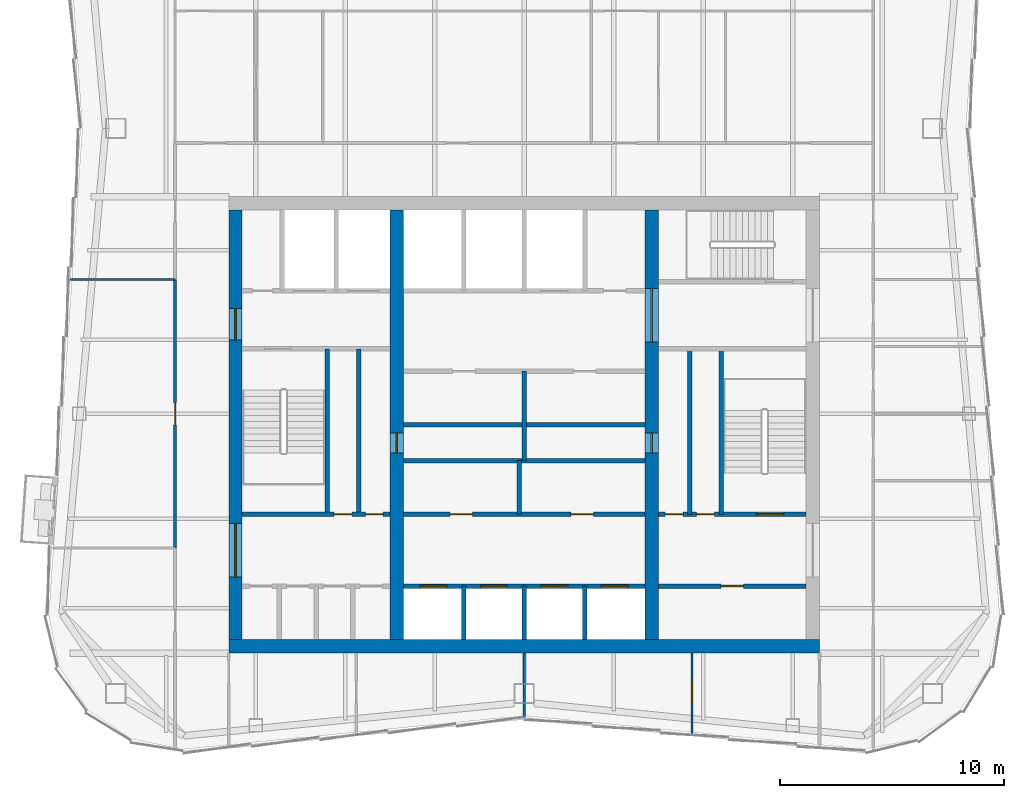
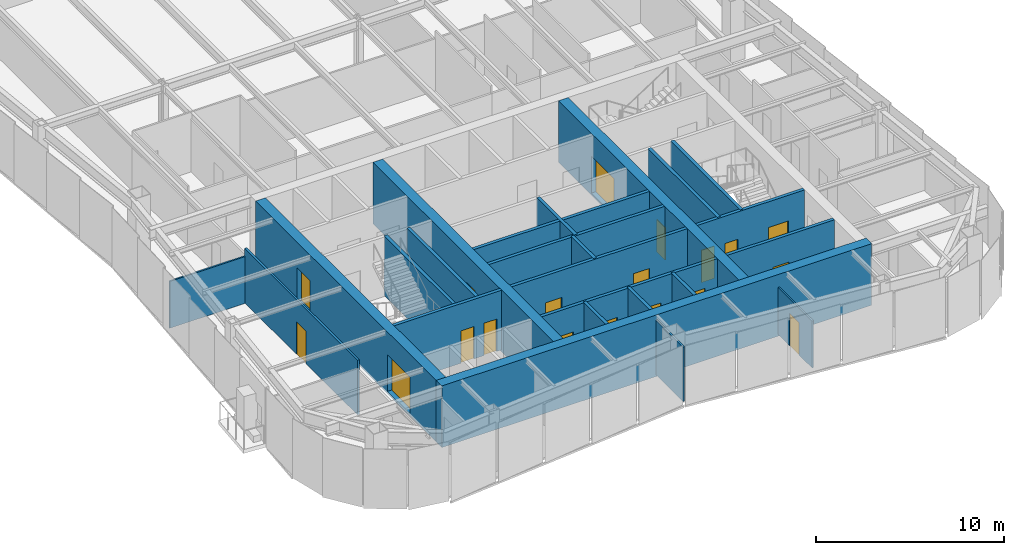
# One storey, part 6 of 10: 24 walls, 19 doors, 19 openings.
"""IFC4 building model written with IfcOpenShell, lengths in metres."""

import ifcopenshell
import ifcopenshell.guid

model = None  # the IFC model being written
_history = None  # IfcOwnerHistory: only IFC2X3 demands one
_inside = {}  # id of a spatial element -> (the spatial element, [elements in it])
_under = {}  # id of a project, library or spatial element -> (it, [spatial elements below it])
_declared = {}  # id of a project -> (the project, [libraries it declares])
_typed = {}  # id of a type object -> (the type object, [elements of that type])
_made_of = {}  # id of a material, layer set ... -> (it, [elements and type objects made of it])


def new_model(schema):
    """Start an empty IFC model of exactly this schema.

    Asked for "IFC4X3", IfcOpenShell would pick the latest addendum, in which some entities
    have other attributes; the version numbers below select the first issue.
    IFC2X3 requires an IfcOwnerHistory on every rooted entity: one is made here for all.
    """
    global model, _history
    if schema == "IFC4X3":
        model = ifcopenshell.file(schema_version=(4, 3, 0, 0))
    else:
        model = ifcopenshell.file(schema=schema)
    _inside.clear()
    _under.clear()
    _declared.clear()
    _typed.clear()
    _made_of.clear()
    _history = None
    if model.schema == "IFC2X3":
        org = make("IfcOrganization", Name="unknown")
        user = make(
            "IfcPersonAndOrganization",
            ThePerson=make("IfcPerson", FamilyName="unknown"),
            TheOrganization=org,
        )
        app = make(
            "IfcApplication",
            ApplicationDeveloper=org,
            Version="unknown",
            ApplicationFullName="unknown",
            ApplicationIdentifier="unknown",
        )
        _history = make(
            "IfcOwnerHistory",
            OwningUser=user,
            OwningApplication=app,
            ChangeAction="ADDED",
            CreationDate=0,
        )
    return model


def make(cls, **values):
    """One entity of the class cls with the attributes given. An attribute that is None is left unset."""
    return model.create_entity(
        cls, **{name: value for name, value in values.items() if value is not None}
    )


def rooted(cls, **values):
    """An entity with a GlobalId (a new one), such as an element, a storey or a relation."""
    return make(cls, GlobalId=ifcopenshell.guid.new(), OwnerHistory=_history, **values)


def si_unit(unit_type, name, prefix=None):
    """IfcSIUnit, for example si_unit("LENGTHUNIT", "METRE", prefix="MILLI")."""
    return make("IfcSIUnit", UnitType=unit_type, Prefix=prefix, Name=name)


def assignment(units):
    """IfcUnitAssignment: the units of a project."""
    return None if units is None else make("IfcUnitAssignment", Units=units)


def point(xyz):
    """IfcCartesianPoint."""
    return None if xyz is None else make("IfcCartesianPoint", Coordinates=xyz)


def direction(xyz):
    """IfcDirection."""
    return None if xyz is None else make("IfcDirection", DirectionRatios=xyz)


def frame(location, z_axis=None, x_axis=None):
    """IfcAxis2Placement3D, a coordinate frame: its origin and axes. An axis left out is left unset."""
    return make(
        "IfcAxis2Placement3D",
        Location=point(location),
        Axis=direction(z_axis),
        RefDirection=direction(x_axis),
    )


def frame_2d(location, x_axis=None):
    """IfcAxis2Placement2D, a coordinate frame in the plane: its origin and x axis."""
    return make(
        "IfcAxis2Placement2D", Location=point(location), RefDirection=direction(x_axis)
    )


def origin():
    """The frame at (0, 0, 0) with its axes left unset."""
    return frame((0.0, 0.0, 0.0))


def place(relative_to, where):
    """IfcLocalPlacement: puts the frame where relative to a parent placement (None: the world)."""
    return make(
        "IfcLocalPlacement", PlacementRelTo=relative_to, RelativePlacement=where
    )


def context(
    kind, dimensions, precision=None, world=None, true_north=None, identifier=None
):
    """IfcGeometricRepresentationContext, for example the 3D "Model" context."""
    return make(
        "IfcGeometricRepresentationContext",
        ContextIdentifier=identifier,
        ContextType=kind,
        CoordinateSpaceDimension=dimensions,
        Precision=precision,
        WorldCoordinateSystem=world,
        TrueNorth=true_north,
    )


def subcontext(parent, identifier, kind, view, scale=None):
    """IfcGeometricRepresentationSubContext, for example "Body" below "Model"."""
    return make(
        "IfcGeometricRepresentationSubContext",
        ContextIdentifier=identifier,
        ContextType=kind,
        ParentContext=parent,
        TargetScale=scale,
        TargetView=view,
    )


def project(units=None, contexts=None):
    """IfcProject with its units and contexts."""
    return rooted(
        "IfcProject",
        Name="project",
        RepresentationContexts=contexts,
        UnitsInContext=assignment(units),
    )


def spatial(cls, under=None, at=None, **own):
    """A site, building, storey or space (cls), placed at a placement, below another one or the project."""
    s = rooted(cls, ObjectPlacement=at, **own)
    if under is not None:
        _under.setdefault(under.id(), (under, []))[1].append(s)
    return s


def profile(cls, at=None, kind="AREA", **sizes):
    """A parametric profile (cls). Its sizes go by their IFC names, for example OverallWidth=200.0."""
    return make(cls, ProfileType=kind, Position=at, **sizes)


def rectangle(**sizes):
    """IfcRectangleProfileDef."""
    return profile("IfcRectangleProfileDef", **sizes)


def extrude(swept, where, along, depth):
    """IfcExtrudedAreaSolid: the profile swept, set in the frame where, extruded along a direction by depth."""
    return make(
        "IfcExtrudedAreaSolid",
        SweptArea=swept,
        Position=where,
        ExtrudedDirection=direction(along),
        Depth=depth,
    )


def shape(context_of_items, identifier, shape_type, items):
    """IfcShapeRepresentation: the items that make up one representation, for example the "Body"."""
    return make(
        "IfcShapeRepresentation",
        ContextOfItems=context_of_items,
        RepresentationIdentifier=identifier,
        RepresentationType=shape_type,
        Items=items,
    )


def material(Name=None, Category=None):
    """IfcMaterial."""
    return make("IfcMaterial", Name=Name, Category=Category)


def layer(
    of_material, thickness, ventilated=None, Name=None, Category=None, Priority=None
):
    """IfcMaterialLayer: one layer of a wall or slab, of a material (None: an air gap)."""
    return make(
        "IfcMaterialLayer",
        Material=of_material,
        LayerThickness=thickness,
        IsVentilated=ventilated,
        Name=Name,
        Category=Category,
        Priority=Priority,
    )


def layer_set(layers, Name=None):
    """IfcMaterialLayerSet."""
    return make("IfcMaterialLayerSet", MaterialLayers=layers, LayerSetName=Name)


def made_of(thing, what):
    """Note that an element or type object is made of a material, layer set ...; save() writes the relation."""
    if what is not None:
        _made_of.setdefault(what.id(), (what, []))[1].append(thing)
    return thing


def type_object(cls, material=None, **own):
    """A type object (cls), such as IfcWallType, which elements share."""
    return made_of(rooted(cls, **own), material)


def element(
    cls,
    number,
    at=None,
    inside=None,
    cuts=None,
    type_object=None,
    material=None,
    context=None,
    identifier="Body",
    shape_type=None,
    held_by="IfcProductDefinitionShape",
    body=None,
    shapes=None,
    **own,
):
    """One element of the class cls, such as IfcWall. Its Tag is "e" and its number.

    at: its placement. inside: the storey or other place that contains it. cuts: it is an
    opening in that element (IfcRelVoidsElement). A single representation is given by context,
    identifier, shape_type and body (its items); several are given by shapes. held_by: the class
    of the entity that holds the representations. save() writes the other relations.
    """
    e = rooted(cls, Tag="e%d" % number, ObjectPlacement=at, **own)
    if body is not None:
        shapes = [shape(context, identifier, shape_type, body)]
    if shapes is not None:
        e.Representation = make(held_by, Representations=shapes)
    if inside is not None:
        _inside.setdefault(inside.id(), (inside, []))[1].append(e)
    if cuts is not None:
        rooted(
            "IfcRelVoidsElement", RelatingBuildingElement=cuts, RelatedOpeningElement=e
        )
    if type_object is not None:
        _typed.setdefault(type_object.id(), (type_object, []))[1].append(e)
    return made_of(e, material)


def fill(opening, filler):
    """IfcRelFillsElement: the door or window that sits in an opening."""
    return rooted(
        "IfcRelFillsElement",
        RelatingOpeningElement=opening,
        RelatedBuildingElement=filler,
    )


def aggregate(whole, parts):
    """IfcRelAggregates: a whole, such as a stair, and the parts it consists of."""
    return rooted("IfcRelAggregates", RelatingObject=whole, RelatedObjects=parts)


def save(model, path):
    """Write the relations noted so far, then the file.

    IfcRelAggregates (storeys below a building ...), IfcRelContainedInSpatialStructure (elements
    in a storey), IfcRelDefinesByType, IfcRelAssociatesMaterial and IfcRelDeclares: one each for
    every whole, place, type object, material and project.
    """
    for whole, parts in _under.values():
        aggregate(whole, parts)
    for where, things in _inside.values():
        rooted(
            "IfcRelContainedInSpatialStructure",
            RelatedElements=things,
            RelatingStructure=where,
        )
    for kind, things in _typed.values():
        rooted("IfcRelDefinesByType", RelatedObjects=things, RelatingType=kind)
    for what, things in _made_of.values():
        rooted("IfcRelAssociatesMaterial", RelatedObjects=things, RelatingMaterial=what)
    for by, libraries in _declared.values():
        rooted("IfcRelDeclares", RelatingContext=by, RelatedDefinitions=libraries)
    model.write(path)


model = new_model("IFC4")

# Units and contexts
model_context = context("Model", 3, precision=1e-05, world=origin(), true_north=direction((0.0, 1.0)))
body_context = subcontext(model_context, "Body", "Model", "MODEL_VIEW")
ifc_project = project(units=[si_unit("LENGTHUNIT", "METRE"), si_unit("AREAUNIT", "SQUARE_METRE"), si_unit("VOLUMEUNIT", "CUBIC_METRE"), si_unit("PLANEANGLEUNIT", "RADIAN"), si_unit("MASSUNIT", "GRAM", prefix="KILO")], contexts=[model_context])

# Site, building, storey
site_placement = place(None, origin())
site = spatial("IfcSite", under=ifc_project, at=site_placement, CompositionType="ELEMENT")
building_placement = place(site_placement, origin())
building = spatial("IfcBuilding", under=site, at=building_placement, Name="Verdant Reach Tower", CompositionType="ELEMENT")
storey_placement = place(building_placement, frame((0.0, 0.0, 302.0)))
storey = spatial("IfcBuildingStorey", under=building, at=storey_placement, Name="L69", CompositionType="ELEMENT", Elevation=302.0)

# Wall, opening, door
ifc_material_1 = material(Name="Gypsum board on steel studs", Category="steel")
ifc_layer_1 = layer(ifc_material_1, 0.199951171875)
ifc_layer_set_1 = layer_set([ifc_layer_1], Name="CO-WALL-ROOM")
wall_type_1 = type_object("IfcWallType", Name="CO-WALL-ROOM", PredefinedType="PARTITIONING", material=ifc_layer_set_1)
wall_1_placement = place(storey_placement, frame((6.0, 20.800048828125, 0.0), z_axis=(0.0, 0.0, 1.0), x_axis=(1.0, 0.0, 0.0)))
wall_1 = element("IfcWall", 1, at=wall_1_placement, inside=storey, type_object=wall_type_1, Name="Core partition, L69", PredefinedType="PARTITIONING", context=body_context, shape_type="SweptSolid", body=[
    extrude(rectangle(XDim=6.60009765625, YDim=0.199951171875, at=frame_2d((3.300048828125, 0.0))), origin(), (0.0, 0.0, 1.0), 3.8701171875),
])
opening_1_placement = place(wall_1_placement, frame((2.800048828125, 0.0, 0.0)))
opening_1 = element("IfcOpeningElement", 2, at=opening_1_placement, cuts=wall_1, Name="Opening CD", PredefinedType="OPENING", context=body_context, shape_type="SweptSolid", body=[
    extrude(rectangle(XDim=1.0, YDim=2.10009765625, at=frame_2d((0.5, 1.050048828125))), frame((0.0, 0.10986328125, 0.0), z_axis=(0.0, -1.0, 0.0), x_axis=(1.0, 0.0, 0.0)), (0.0, 0.0, 1.0), 0.219970703125),
])
ifc_material_2 = material(Name="Timber", Category="wood")
door_type_1 = type_object("IfcDoorType", Name="CO-DOOR-ROOM", OperationType="NOTDEFINED", PredefinedType="DOOR", material=ifc_material_2)
door_1_placement = place(opening_1_placement, origin())
door_1 = element("IfcDoor", 3, at=door_1_placement, inside=storey, type_object=door_type_1, Name="Core room door, L69", OperationType="SINGLE_SWING_LEFT", OverallHeight=2.10009765625, OverallWidth=1.0, PredefinedType="DOOR", context=body_context, shape_type="SweptSolid", body=[
    extrude(rectangle(XDim=1.0, YDim=2.10009765625, at=frame_2d((0.5, 1.050048828125))), frame((0.0, 0.02490234375, 0.0), z_axis=(0.0, -1.0, 0.0), x_axis=(1.0, 0.0, 0.0)), (0.0, 0.0, 1.0), 0.050048828125),
])
fill(opening_1, door_1)

# Wall, openings, doors
wall_2_placement = place(storey_placement, frame((-5.39990234375, 24.0, 0.0), z_axis=(0.0, 0.0, 1.0), x_axis=(1.0, 0.0, 0.0)))
wall_2 = element("IfcWall", 4, at=wall_2_placement, inside=storey, type_object=wall_type_1, Name="Core partition, L69", PredefinedType="PARTITIONING", context=body_context, shape_type="SweptSolid", body=[
    extrude(rectangle(XDim=10.7998046875, YDim=0.199951171875, at=frame_2d((5.39990234375, 0.0))), origin(), (0.0, 0.0, 1.0), 3.8701171875),
])
opening_2_placement = place(wall_2_placement, frame((2.092041015625, 0.0, 0.0)))
opening_2 = element("IfcOpeningElement", 5, at=opening_2_placement, cuts=wall_2, Name="Opening CD", PredefinedType="OPENING", context=body_context, shape_type="SweptSolid", body=[
    extrude(rectangle(XDim=1.0, YDim=2.10009765625, at=frame_2d((0.5, 1.050048828125))), frame((0.0, 0.10986328125, 0.0), z_axis=(0.0, -1.0, 0.0), x_axis=(1.0, 0.0, 0.0)), (0.0, 0.0, 1.0), 0.219970703125),
])
opening_3_placement = place(wall_2_placement, frame((7.491943359375, 0.0, 0.0)))
opening_3 = element("IfcOpeningElement", 6, at=opening_3_placement, cuts=wall_2, Name="Opening CD", PredefinedType="OPENING", context=body_context, shape_type="SweptSolid", body=[
    extrude(rectangle(XDim=1.0, YDim=2.10009765625, at=frame_2d((0.5, 1.050048828125))), frame((0.0, 0.10986328125, 0.0), z_axis=(0.0, -1.0, 0.0), x_axis=(1.0, 0.0, 0.0)), (0.0, 0.0, 1.0), 0.219970703125),
])
door_2_placement = place(opening_2_placement, origin())
door_2 = element("IfcDoor", 7, at=door_2_placement, inside=storey, type_object=door_type_1, Name="Core room door, L69", OperationType="SINGLE_SWING_RIGHT", OverallHeight=2.10009765625, OverallWidth=1.0, PredefinedType="DOOR", context=body_context, shape_type="SweptSolid", body=[
    extrude(rectangle(XDim=1.0, YDim=2.10009765625, at=frame_2d((0.5, 1.050048828125))), frame((0.0, 0.02490234375, 0.0), z_axis=(0.0, -1.0, 0.0), x_axis=(1.0, 0.0, 0.0)), (0.0, 0.0, 1.0), 0.050048828125),
])
fill(opening_2, door_2)
door_3_placement = place(opening_3_placement, origin())
door_3 = element("IfcDoor", 8, at=door_3_placement, inside=storey, type_object=door_type_1, Name="Core room door, L69", OperationType="SINGLE_SWING_LEFT", OverallHeight=2.10009765625, OverallWidth=1.0, PredefinedType="DOOR", context=body_context, shape_type="SweptSolid", body=[
    extrude(rectangle(XDim=1.0, YDim=2.10009765625, at=frame_2d((0.5, 1.050048828125))), frame((0.0, 0.02490234375, 0.0), z_axis=(0.0, -1.0, 0.0), x_axis=(1.0, 0.0, 0.0)), (0.0, 0.0, 1.0), 0.050048828125),
])
fill(opening_3, door_3)

# Walls
for number, where, z_axis, x_axis, name in (
    (9, (-5.39990234375, 26.39990234375, 0.0), (0.0, 0.0, 1.0), (1.0, 0.0, 0.0), "Core partition, L69"),
    (10, (-5.39990234375, 28.0, 0.0), (0.0, 0.0, 1.0), (1.0, 0.0, 0.0), "Core partition, L69"),
):
    element("IfcWall", number, at=place(storey_placement, frame(where, z_axis=z_axis, x_axis=x_axis)), inside=storey, type_object=wall_type_1, Name=name, PredefinedType="PARTITIONING", context=body_context, shape_type="SweptSolid", body=[
        extrude(rectangle(XDim=10.7998046875, YDim=0.199951171875, at=frame_2d((5.39990234375, 0.0))), origin(), (0.0, 0.0, 1.0), 3.8701171875),
    ])
wall_3_placement = place(storey_placement, frame((-7.39990234375, 24.0, 0.0), z_axis=(0.0, 0.0, 1.0), x_axis=(0.0, 1.0, 0.0)))
element("IfcWall", 11, at=wall_3_placement, inside=storey, type_object=wall_type_1, Name="Core partition, L69", PredefinedType="PARTITIONING", context=body_context, shape_type="SweptSolid", body=[
    extrude(rectangle(XDim=7.39990234375, YDim=0.199951171875, at=frame_2d((3.699951171875, 0.0))), origin(), (0.0, 0.0, 1.0), 3.8701171875),
])
wall_4_placement = place(storey_placement, frame((-0.216064453125, 24.0, 0.0), z_axis=(0.0, 0.0, 1.0), x_axis=(0.0, 1.0, 0.0)))
element("IfcWall", 12, at=wall_4_placement, inside=storey, type_object=wall_type_1, Name="Core partition, L69", PredefinedType="PARTITIONING", context=body_context, shape_type="SweptSolid", body=[
    extrude(rectangle(XDim=2.39990234375, YDim=0.199951171875, at=frame_2d((1.199951171875, 0.0))), origin(), (0.0, 0.0, 1.0), 3.8701171875),
])
wall_5_placement = place(storey_placement, frame((0.0, 26.39990234375, 0.0), z_axis=(0.0, 0.0, 1.0), x_axis=(0.0, 1.0, 0.0)))
element("IfcWall", 13, at=wall_5_placement, inside=storey, type_object=wall_type_1, Name="Core partition, L69", PredefinedType="PARTITIONING", context=body_context, shape_type="SweptSolid", body=[
    extrude(rectangle(XDim=4.0, YDim=0.199951171875, at=frame_2d((2.0, 0.0))), origin(), (0.0, 0.0, 1.0), 3.8701171875),
])
wall_6_placement = place(storey_placement, frame((7.39990234375, 24.0, 0.0), z_axis=(0.0, 0.0, 1.0), x_axis=(0.0, 1.0, 0.0)))
element("IfcWall", 14, at=wall_6_placement, inside=storey, type_object=wall_type_1, Name="Core partition, L69", PredefinedType="PARTITIONING", context=body_context, shape_type="SweptSolid", body=[
    extrude(rectangle(XDim=7.39990234375, YDim=0.199951171875, at=frame_2d((3.699951171875, 0.0))), origin(), (0.0, 0.0, 1.0), 3.8701171875),
])

# Wall, openings, doors
ifc_material_3 = material(Name="Concrete C40/50", Category="concrete")
ifc_layer_2 = layer(ifc_material_3, 0.199951171875)
ifc_layer_set_2 = layer_set([ifc_layer_2], Name="CO-WALL-SHAFT")
wall_type_2 = type_object("IfcWallType", Name="CO-WALL-SHAFT", PredefinedType="PARTITIONING", material=ifc_layer_set_2)
wall_7_placement = place(storey_placement, frame((-5.39990234375, 20.800048828125, 0.0), z_axis=(0.0, 0.0, 1.0), x_axis=(1.0, 0.0, 0.0)))
wall_7 = element("IfcWall", 15, at=wall_7_placement, inside=storey, type_object=wall_type_2, Name="Lift shaft wall, L69", PredefinedType="PARTITIONING", context=body_context, shape_type="SweptSolid", body=[
    extrude(rectangle(XDim=10.7998046875, YDim=0.199951171875, at=frame_2d((5.39990234375, 0.0))), origin(), (0.0, 0.0, 1.0), 3.8701171875),
])
opening_4_placement = place(wall_7_placement, frame((0.75, 0.0, 0.0)))
opening_4 = element("IfcOpeningElement", 16, at=opening_4_placement, cuts=wall_7, Name="Opening LD-B1", PredefinedType="OPENING", context=body_context, shape_type="SweptSolid", body=[
    extrude(rectangle(XDim=1.199951171875, YDim=2.199951171875, at=frame_2d((0.60009765625, 1.10009765625))), frame((0.0, 0.10986328125, 0.0), z_axis=(0.0, -1.0, 0.0), x_axis=(1.0, 0.0, 0.0)), (0.0, 0.0, 1.0), 0.219970703125),
])
opening_5_placement = place(wall_7_placement, frame((3.449951171875, 0.0, 0.0)))
opening_5 = element("IfcOpeningElement", 17, at=opening_5_placement, cuts=wall_7, Name="Opening LD-B2", PredefinedType="OPENING", context=body_context, shape_type="SweptSolid", body=[
    extrude(rectangle(XDim=1.199951171875, YDim=2.199951171875, at=frame_2d((0.60009765625, 1.10009765625))), frame((0.0, 0.10986328125, 0.0), z_axis=(0.0, -1.0, 0.0), x_axis=(1.0, 0.0, 0.0)), (0.0, 0.0, 1.0), 0.219970703125),
])
opening_6_placement = place(wall_7_placement, frame((6.14990234375, 0.0, 0.0)))
opening_6 = element("IfcOpeningElement", 18, at=opening_6_placement, cuts=wall_7, Name="Opening LD-B3", PredefinedType="OPENING", context=body_context, shape_type="SweptSolid", body=[
    extrude(rectangle(XDim=1.199951171875, YDim=2.199951171875, at=frame_2d((0.60009765625, 1.10009765625))), frame((0.0, 0.10986328125, 0.0), z_axis=(0.0, -1.0, 0.0), x_axis=(1.0, 0.0, 0.0)), (0.0, 0.0, 1.0), 0.219970703125),
])
opening_7_placement = place(wall_7_placement, frame((8.85009765625, 0.0, 0.0)))
opening_7 = element("IfcOpeningElement", 19, at=opening_7_placement, cuts=wall_7, Name="Opening LD-B4", PredefinedType="OPENING", context=body_context, shape_type="SweptSolid", body=[
    extrude(rectangle(XDim=1.199951171875, YDim=2.199951171875, at=frame_2d((0.60009765625, 1.10009765625))), frame((0.0, 0.10986328125, 0.0), z_axis=(0.0, -1.0, 0.0), x_axis=(1.0, 0.0, 0.0)), (0.0, 0.0, 1.0), 0.219970703125),
])
ifc_material_4 = material(Name="Stainless steel", Category="steel")
door_type_2 = type_object("IfcDoorType", Name="CO-DOOR-LANDING", OperationType="SLIDING_TO_LEFT", PredefinedType="DOOR", material=ifc_material_4)
door_4_placement = place(opening_4_placement, origin())
door_4 = element("IfcDoor", 20, at=door_4_placement, inside=storey, type_object=door_type_2, Name="Landing door B1, L69", OperationType="SLIDING_TO_LEFT", OverallHeight=2.199951171875, OverallWidth=1.199951171875, PredefinedType="DOOR", context=body_context, shape_type="SweptSolid", body=[
    extrude(rectangle(XDim=1.199951171875, YDim=2.199951171875, at=frame_2d((0.60009765625, 1.10009765625))), frame((0.0, 0.02490234375, 0.0), z_axis=(0.0, -1.0, 0.0), x_axis=(1.0, 0.0, 0.0)), (0.0, 0.0, 1.0), 0.050048828125),
])
fill(opening_4, door_4)
door_5_placement = place(opening_5_placement, origin())
door_5 = element("IfcDoor", 21, at=door_5_placement, inside=storey, type_object=door_type_2, Name="Landing door B2, L69", OperationType="SLIDING_TO_LEFT", OverallHeight=2.199951171875, OverallWidth=1.199951171875, PredefinedType="DOOR", context=body_context, shape_type="SweptSolid", body=[
    extrude(rectangle(XDim=1.199951171875, YDim=2.199951171875, at=frame_2d((0.60009765625, 1.10009765625))), frame((0.0, 0.02490234375, 0.0), z_axis=(0.0, -1.0, 0.0), x_axis=(1.0, 0.0, 0.0)), (0.0, 0.0, 1.0), 0.050048828125),
])
fill(opening_5, door_5)
door_6_placement = place(opening_6_placement, origin())
door_6 = element("IfcDoor", 22, at=door_6_placement, inside=storey, type_object=door_type_2, Name="Landing door B3, L69", OperationType="SLIDING_TO_LEFT", OverallHeight=2.199951171875, OverallWidth=1.199951171875, PredefinedType="DOOR", context=body_context, shape_type="SweptSolid", body=[
    extrude(rectangle(XDim=1.199951171875, YDim=2.199951171875, at=frame_2d((0.60009765625, 1.10009765625))), frame((0.0, 0.02490234375, 0.0), z_axis=(0.0, -1.0, 0.0), x_axis=(1.0, 0.0, 0.0)), (0.0, 0.0, 1.0), 0.050048828125),
])
fill(opening_6, door_6)
door_7_placement = place(opening_7_placement, origin())
door_7 = element("IfcDoor", 23, at=door_7_placement, inside=storey, type_object=door_type_2, Name="Landing door B4, L69", OperationType="SLIDING_TO_LEFT", OverallHeight=2.199951171875, OverallWidth=1.199951171875, PredefinedType="DOOR", context=body_context, shape_type="SweptSolid", body=[
    extrude(rectangle(XDim=1.199951171875, YDim=2.199951171875, at=frame_2d((0.60009765625, 1.10009765625))), frame((0.0, 0.02490234375, 0.0), z_axis=(0.0, -1.0, 0.0), x_axis=(1.0, 0.0, 0.0)), (0.0, 0.0, 1.0), 0.050048828125),
])
fill(opening_7, door_7)

# Walls
for number, where, z_axis, x_axis, name in (
    (24, (-2.699951171875, 18.39990234375, 0.0), (0.0, 0.0, 1.0), (0.0, 1.0, 0.0), "Lift shaft wall, L69"),
    (25, (0.0, 18.39990234375, 0.0), (0.0, 0.0, 1.0), (0.0, 1.0, 0.0), "Lift shaft wall, L69"),
    (26, (2.699951171875, 18.39990234375, 0.0), (0.0, 0.0, 1.0), (0.0, 1.0, 0.0), "Lift shaft wall, L69"),
):
    element("IfcWall", number, at=place(storey_placement, frame(where, z_axis=z_axis, x_axis=x_axis)), inside=storey, type_object=wall_type_2, Name=name, PredefinedType="PARTITIONING", context=body_context, shape_type="SweptSolid", body=[
        extrude(rectangle(XDim=2.400146484375, YDim=0.199951171875, at=frame_2d((1.2001953125, 0.0))), origin(), (0.0, 0.0, 1.0), 3.8701171875),
    ])

# Wall, openings, doors
ifc_layer_3 = layer(ifc_material_3, 0.199951171875)
ifc_layer_set_3 = layer_set([ifc_layer_3], Name="CO-WALL-STAIR")
wall_type_3 = type_object("IfcWallType", Name="CO-WALL-STAIR", PredefinedType="PARTITIONING", material=ifc_layer_set_3)
wall_8_placement = place(storey_placement, frame((-12.60009765625, 24.0, 0.0), z_axis=(0.0, 0.0, 1.0), x_axis=(1.0, 0.0, 0.0)))
wall_8 = element("IfcWall", 27, at=wall_8_placement, inside=storey, type_object=wall_type_3, Name="Stair enclosure wall, L69", PredefinedType="PARTITIONING", context=body_context, shape_type="SweptSolid", body=[
    extrude(rectangle(XDim=6.60009765625, YDim=0.199951171875, at=frame_2d((3.300048828125, 0.0))), origin(), (0.0, 0.0, 1.0), 3.8701171875),
])
opening_8_placement = place(wall_8_placement, frame((4.10009765625, 0.0, 0.0)))
opening_8 = element("IfcOpeningElement", 28, at=opening_8_placement, cuts=wall_8, Name="Opening CDN", PredefinedType="OPENING", context=body_context, shape_type="SweptSolid", body=[
    extrude(rectangle(XDim=0.800048828125, YDim=2.10009765625, at=frame_2d((0.39990234375, 1.050048828125))), frame((0.0, 0.10986328125, 0.0), z_axis=(0.0, -1.0, 0.0), x_axis=(1.0, 0.0, 0.0)), (0.0, 0.0, 1.0), 0.219970703125),
])
opening_9_placement = place(wall_8_placement, frame((5.5, 0.0, 0.0)))
opening_9 = element("IfcOpeningElement", 29, at=opening_9_placement, cuts=wall_8, Name="Opening CDN", PredefinedType="OPENING", context=body_context, shape_type="SweptSolid", body=[
    extrude(rectangle(XDim=0.800048828125, YDim=2.10009765625, at=frame_2d((0.39990234375, 1.050048828125))), frame((0.0, 0.10986328125, 0.0), z_axis=(0.0, -1.0, 0.0), x_axis=(1.0, 0.0, 0.0)), (0.0, 0.0, 1.0), 0.219970703125),
])
door_type_3 = type_object("IfcDoorType", Name="CO-DOOR-ROOM-NARROW", OperationType="NOTDEFINED", PredefinedType="DOOR", material=ifc_material_2)
door_8_placement = place(opening_8_placement, origin())
door_8 = element("IfcDoor", 30, at=door_8_placement, inside=storey, type_object=door_type_3, Name="Core room door, L69", OperationType="SINGLE_SWING_RIGHT", OverallHeight=2.10009765625, OverallWidth=0.800048828125, PredefinedType="DOOR", context=body_context, shape_type="SweptSolid", body=[
    extrude(rectangle(XDim=0.800048828125, YDim=2.10009765625, at=frame_2d((0.39990234375, 1.050048828125))), frame((0.0, 0.02490234375, 0.0), z_axis=(0.0, -1.0, 0.0), x_axis=(1.0, 0.0, 0.0)), (0.0, 0.0, 1.0), 0.050048828125),
])
fill(opening_8, door_8)
door_9_placement = place(opening_9_placement, origin())
door_9 = element("IfcDoor", 31, at=door_9_placement, inside=storey, type_object=door_type_3, Name="Core room door, L69", OperationType="SINGLE_SWING_LEFT", OverallHeight=2.10009765625, OverallWidth=0.800048828125, PredefinedType="DOOR", context=body_context, shape_type="SweptSolid", body=[
    extrude(rectangle(XDim=0.800048828125, YDim=2.10009765625, at=frame_2d((0.39990234375, 1.050048828125))), frame((0.0, 0.02490234375, 0.0), z_axis=(0.0, -1.0, 0.0), x_axis=(1.0, 0.0, 0.0)), (0.0, 0.0, 1.0), 0.050048828125),
])
fill(opening_9, door_9)

wall_9_placement = place(storey_placement, frame((6.0, 24.0, 0.0), z_axis=(0.0, 0.0, 1.0), x_axis=(1.0, 0.0, 0.0)))
wall_9 = element("IfcWall", 32, at=wall_9_placement, inside=storey, type_object=wall_type_3, Name="Stair enclosure wall, L69", PredefinedType="PARTITIONING", context=body_context, shape_type="SweptSolid", body=[
    extrude(rectangle(XDim=6.60009765625, YDim=0.199951171875, at=frame_2d((3.300048828125, 0.0))), origin(), (0.0, 0.0, 1.0), 3.8701171875),
])
opening_10_placement = place(wall_9_placement, frame((0.300048828125, 0.0, 0.0)))
opening_10 = element("IfcOpeningElement", 33, at=opening_10_placement, cuts=wall_9, Name="Opening CDN", PredefinedType="OPENING", context=body_context, shape_type="SweptSolid", body=[
    extrude(rectangle(XDim=0.800048828125, YDim=2.10009765625, at=frame_2d((0.39990234375, 1.050048828125))), frame((0.0, 0.10986328125, 0.0), z_axis=(0.0, -1.0, 0.0), x_axis=(1.0, 0.0, 0.0)), (0.0, 0.0, 1.0), 0.219970703125),
])
opening_11_placement = place(wall_9_placement, frame((1.699951171875, 0.0, 0.0)))
opening_11 = element("IfcOpeningElement", 34, at=opening_11_placement, cuts=wall_9, Name="Opening CDN", PredefinedType="OPENING", context=body_context, shape_type="SweptSolid", body=[
    extrude(rectangle(XDim=0.800048828125, YDim=2.10009765625, at=frame_2d((0.39990234375, 1.050048828125))), frame((0.0, 0.10986328125, 0.0), z_axis=(0.0, -1.0, 0.0), x_axis=(1.0, 0.0, 0.0)), (0.0, 0.0, 1.0), 0.219970703125),
])
opening_12_placement = place(wall_9_placement, frame((4.39990234375, 0.0, 0.0)))
opening_12 = element("IfcOpeningElement", 35, at=opening_12_placement, cuts=wall_9, Name="Opening SD", PredefinedType="OPENING", context=body_context, shape_type="SweptSolid", body=[
    extrude(rectangle(XDim=1.199951171875, YDim=2.199951171875, at=frame_2d((0.60009765625, 1.10009765625))), frame((0.0, 0.10986328125, 0.0), z_axis=(0.0, -1.0, 0.0), x_axis=(1.0, 0.0, 0.0)), (0.0, 0.0, 1.0), 0.219970703125),
])
door_10_placement = place(opening_10_placement, origin())
door_10 = element("IfcDoor", 36, at=door_10_placement, inside=storey, type_object=door_type_3, Name="Core room door, L69", OperationType="SINGLE_SWING_RIGHT", OverallHeight=2.10009765625, OverallWidth=0.800048828125, PredefinedType="DOOR", context=body_context, shape_type="SweptSolid", body=[
    extrude(rectangle(XDim=0.800048828125, YDim=2.10009765625, at=frame_2d((0.39990234375, 1.050048828125))), frame((0.0, 0.02490234375, 0.0), z_axis=(0.0, -1.0, 0.0), x_axis=(1.0, 0.0, 0.0)), (0.0, 0.0, 1.0), 0.050048828125),
])
fill(opening_10, door_10)
door_11_placement = place(opening_11_placement, origin())
door_11 = element("IfcDoor", 37, at=door_11_placement, inside=storey, type_object=door_type_3, Name="Core room door, L69", OperationType="SINGLE_SWING_LEFT", OverallHeight=2.10009765625, OverallWidth=0.800048828125, PredefinedType="DOOR", context=body_context, shape_type="SweptSolid", body=[
    extrude(rectangle(XDim=0.800048828125, YDim=2.10009765625, at=frame_2d((0.39990234375, 1.050048828125))), frame((0.0, 0.02490234375, 0.0), z_axis=(0.0, -1.0, 0.0), x_axis=(1.0, 0.0, 0.0)), (0.0, 0.0, 1.0), 0.050048828125),
])
fill(opening_11, door_11)
ifc_material_5 = material(Name="Steel", Category="steel")
door_type_4 = type_object("IfcDoorType", Name="CO-DOOR-STAIR", OperationType="NOTDEFINED", PredefinedType="DOOR", material=ifc_material_5)
door_12_placement = place(opening_12_placement, origin())
door_12 = element("IfcDoor", 38, at=door_12_placement, inside=storey, type_object=door_type_4, Name="Stair door, L69", OperationType="SINGLE_SWING_LEFT", OverallHeight=2.199951171875, OverallWidth=1.199951171875, PredefinedType="DOOR", context=body_context, shape_type="SweptSolid", body=[
    extrude(rectangle(XDim=1.199951171875, YDim=2.199951171875, at=frame_2d((0.60009765625, 1.10009765625))), frame((0.0, 0.02490234375, 0.0), z_axis=(0.0, -1.0, 0.0), x_axis=(1.0, 0.0, 0.0)), (0.0, 0.0, 1.0), 0.050048828125),
])
fill(opening_12, door_12)

# Walls
for number, where, z_axis, x_axis, name in (
    (39, (-8.800048828125, 24.0, 0.0), (0.0, 0.0, 1.0), (0.0, 1.0, 0.0), "Stair enclosure wall, L69"),
    (40, (8.800048828125, 24.0, 0.0), (0.0, 0.0, 1.0), (0.0, 1.0, 0.0), "Stair enclosure wall, L69"),
):
    element("IfcWall", number, at=place(storey_placement, frame(where, z_axis=z_axis, x_axis=x_axis)), inside=storey, type_object=wall_type_3, Name=name, PredefinedType="PARTITIONING", context=body_context, shape_type="SweptSolid", body=[
        extrude(rectangle(XDim=7.39990234375, YDim=0.199951171875, at=frame_2d((3.699951171875, 0.0))), origin(), (0.0, 0.0, 1.0), 3.8701171875),
    ])
ifc_layer_4 = layer(ifc_material_1, 0.10009765625)
ifc_layer_set_4 = layer_set([ifc_layer_4], Name="FL-W1 Partition 100")
wall_type_4 = type_object("IfcWallType", Name="FL-W1 Partition 100", PredefinedType="PARTITIONING", material=ifc_layer_set_4)
wall_10_placement = place(storey_placement, frame((-15.60009765625, 34.5, 0.0), z_axis=(0.0, 0.0, 1.0), x_axis=(-1.0, 0.0, 0.0)))
element("IfcWall", 41, at=wall_10_placement, inside=storey, type_object=wall_type_4, Name="Partition 69.18", PredefinedType="PARTITIONING", context=body_context, shape_type="SweptSolid", body=[
    extrude(rectangle(XDim=4.6953125, YDim=0.10009765625, at=frame_2d((2.34765625, 0.0))), origin(), (0.0, 0.0, 1.0), 3.0400390625),
])
wall_11_placement = place(storey_placement, frame((0.0, 14.919921875, 0.0), z_axis=(0.0, 0.0, 1.0), x_axis=(0.0, 1.0, 0.0)))
element("IfcWall", 42, at=wall_11_placement, inside=storey, type_object=wall_type_4, Name="Partition 69.30", PredefinedType="PARTITIONING", context=body_context, shape_type="SweptSolid", body=[
    extrude(rectangle(XDim=2.880126953125, YDim=0.10009765625, at=frame_2d((1.43994140625, 0.0))), origin(), (0.0, 0.0, 1.0), 3.5400390625),
])

# Wall, opening, door
wall_12_placement = place(storey_placement, frame((7.5, 14.182373046875, 0.0), z_axis=(0.0, 0.0, 1.0), x_axis=(0.0, 1.0, 0.0)))
wall_12 = element("IfcWall", 43, at=wall_12_placement, inside=storey, type_object=wall_type_4, Name="Partition 69.31", PredefinedType="PARTITIONING", context=body_context, shape_type="SweptSolid", body=[
    extrude(rectangle(XDim=3.61767578125, YDim=0.10009765625, at=frame_2d((1.808837890625, 0.0))), origin(), (0.0, 0.0, 1.0), 3.0400390625),
])
opening_13_placement = place(wall_12_placement, frame((1.3740234375, 0.0, 0.0)))
opening_13 = element("IfcOpeningElement", 44, at=opening_13_placement, cuts=wall_12, Name="Opening D3", PredefinedType="OPENING", context=body_context, shape_type="SweptSolid", body=[
    extrude(rectangle(XDim=1.0, YDim=2.10009765625, at=frame_2d((0.5, 1.050048828125))), frame((0.0, 0.06005859375, 0.0), z_axis=(0.0, -1.0, 0.0), x_axis=(1.0, 0.0, 0.0)), (0.0, 0.0, 1.0), 0.1201171875),
])
ifc_material_6 = material(Name="Painted timber door leaf", Category="wood")
door_type_5 = type_object("IfcDoorType", Name="FL-D3 Door 1000x2100", OperationType="NOTDEFINED", PredefinedType="DOOR", material=ifc_material_6)
door_13_placement = place(opening_13_placement, origin())
door_13 = element("IfcDoor", 45, at=door_13_placement, inside=storey, type_object=door_type_5, Name="Door 69-016", OperationType="SINGLE_SWING_RIGHT", OverallHeight=2.10009765625, OverallWidth=1.0, PredefinedType="DOOR", context=body_context, shape_type="SweptSolid", body=[
    extrude(rectangle(XDim=1.0, YDim=2.10009765625, at=frame_2d((0.5, 1.050048828125))), frame((0.0, 0.02490234375, 0.0), z_axis=(0.0, -1.0, 0.0), x_axis=(1.0, 0.0, 0.0)), (0.0, 0.0, 1.0), 0.050048828125),
])
fill(opening_13, door_13)

ifc_material_7 = material(Name="Gypsum board on steel studs, fire rated", Category="steel")
ifc_layer_5 = layer(ifc_material_7, 0.125)
ifc_layer_set_5 = layer_set([ifc_layer_5], Name="FL-W2 Corridor wall 125")
wall_type_5 = type_object("IfcWallType", Name="FL-W2 Corridor wall 125", PredefinedType="PARTITIONING", material=ifc_layer_set_5)
wall_13_placement = place(storey_placement, frame((-15.60009765625, 22.5, 0.0), z_axis=(0.0, 0.0, 1.0), x_axis=(0.0, 1.0, 0.0)))
wall_13 = element("IfcWall", 46, at=wall_13_placement, inside=storey, type_object=wall_type_5, Name="Partition 69.02", PredefinedType="PARTITIONING", context=body_context, shape_type="SweptSolid", body=[
    extrude(rectangle(XDim=12.0, YDim=0.125, at=frame_2d((6.0, 0.0))), origin(), (0.0, 0.0, 1.0), 3.5400390625),
])
opening_14_placement = place(wall_13_placement, frame((5.5, 0.0, 0.0)))
opening_14 = element("IfcOpeningElement", 47, at=opening_14_placement, cuts=wall_13, Name="Opening D2", PredefinedType="OPENING", context=body_context, shape_type="SweptSolid", body=[
    extrude(rectangle(XDim=1.0, YDim=2.10009765625, at=frame_2d((0.5, 1.050048828125))), frame((0.0, 0.072509765625, 0.0), z_axis=(0.0, -1.0, 0.0), x_axis=(1.0, 0.0, 0.0)), (0.0, 0.0, 1.0), 0.14501953125),
])
ifc_material_8 = material(Name="Timber door leaf, fire rated", Category="wood")
door_type_6 = type_object("IfcDoorType", Name="FL-D2 Entrance door 1000x2100 FD30", OperationType="NOTDEFINED", PredefinedType="DOOR", material=ifc_material_8)
door_14_placement = place(opening_14_placement, origin())
door_14 = element("IfcDoor", 48, at=door_14_placement, inside=storey, type_object=door_type_6, Name="Door 69-002", OperationType="SINGLE_SWING_RIGHT", OverallHeight=2.10009765625, OverallWidth=1.0, PredefinedType="DOOR", context=body_context, shape_type="SweptSolid", body=[
    extrude(rectangle(XDim=1.0, YDim=2.10009765625, at=frame_2d((0.5, 1.050048828125))), frame((0.0, 0.02490234375, 0.0), z_axis=(0.0, -1.0, 0.0), x_axis=(1.0, 0.0, 0.0)), (0.0, 0.0, 1.0), 0.050048828125),
])
fill(opening_14, door_14)

# Wall
ifc_material_9 = material(Name="Concrete C70/85", Category="concrete")
ifc_layer_6 = layer(ifc_material_9, 0.60009765625)
ifc_layer_set_6 = layer_set([ifc_layer_6], Name="ST-CORE-WALL-600")
wall_type_6 = type_object("IfcWallType", Name="ST-CORE-WALL-600", PredefinedType="SHEAR", material=ifc_layer_set_6)
wall_14_placement = place(storey_placement, frame((-13.199951171875, 18.10009765625, -0.1298828125), z_axis=(0.0, 0.0, 1.0), x_axis=(1.0, 0.0, 0.0)))
element("IfcWall", 49, at=wall_14_placement, inside=storey, type_object=wall_type_6, Name="Core wall S, L69", PredefinedType="SHEAR", context=body_context, shape_type="SweptSolid", body=[
    extrude(rectangle(XDim=26.39990234375, YDim=0.60009765625, at=frame_2d((13.199951171875, 0.0))), origin(), (0.0, 0.0, 1.0), 4.0),
])

# Wall, openings, doors
wall_15_placement = place(storey_placement, frame((-12.89990234375, 18.39990234375, -0.1298828125), z_axis=(0.0, 0.0, 1.0), x_axis=(0.0, 1.0, 0.0)))
wall_15 = element("IfcWall", 50, at=wall_15_placement, inside=storey, type_object=wall_type_6, Name="Core wall W, L69", PredefinedType="SHEAR", context=body_context, shape_type="SweptSolid", body=[
    extrude(rectangle(XDim=19.2001953125, YDim=0.60009765625, at=frame_2d((9.60009765625, 0.0))), origin(), (0.0, 0.0, 1.0), 4.0),
])
opening_15_placement = place(wall_15_placement, frame((2.800048828125, 0.0, 0.1298828125)))
opening_15 = element("IfcOpeningElement", 51, at=opening_15_placement, cuts=wall_15, Name="Opening LB", PredefinedType="OPENING", context=body_context, shape_type="SweptSolid", body=[
    extrude(rectangle(XDim=2.39990234375, YDim=2.39990234375, at=frame_2d((1.199951171875, 1.199951171875))), frame((0.0, 0.31005859375, 0.0), z_axis=(0.0, -1.0, 0.0), x_axis=(1.0, 0.0, 0.0)), (0.0, 0.0, 1.0), 0.6201171875),
])
opening_16_placement = place(wall_15_placement, frame((13.39990234375, 0.0, 0.1298828125)))
opening_16 = element("IfcOpeningElement", 52, at=opening_16_placement, cuts=wall_15, Name="Opening FL", PredefinedType="OPENING", context=body_context, shape_type="SweptSolid", body=[
    extrude(rectangle(XDim=1.39990234375, YDim=2.199951171875, at=frame_2d((0.699951171875, 1.10009765625))), frame((0.0, 0.31005859375, 0.0), z_axis=(0.0, -1.0, 0.0), x_axis=(1.0, 0.0, 0.0)), (0.0, 0.0, 1.0), 0.6201171875),
])
door_type_7 = type_object("IfcDoorType", Name="CO-DOOR-FFL", OperationType="NOTDEFINED", PredefinedType="DOOR", material=ifc_material_5)
door_15_placement = place(opening_16_placement, origin())
door_15 = element("IfcDoor", 53, at=door_15_placement, inside=storey, type_object=door_type_7, Name="Core entrance door, L69", OperationType="SINGLE_SWING_RIGHT", OverallHeight=2.199951171875, OverallWidth=1.39990234375, PredefinedType="DOOR", context=body_context, shape_type="SweptSolid", body=[
    extrude(rectangle(XDim=1.39990234375, YDim=2.199951171875, at=frame_2d((0.699951171875, 1.10009765625))), frame((0.0, 0.02490234375, 0.0), z_axis=(0.0, -1.0, 0.0), x_axis=(1.0, 0.0, 0.0)), (0.0, 0.0, 1.0), 0.050048828125),
])
fill(opening_16, door_15)
ifc_material_10 = material(Name="Glass and steel", Category="steel")
door_type_8 = type_object("IfcDoorType", Name="CO-DOOR-LOBBY", OperationType="DOUBLE_DOOR_SINGLE_SWING", PredefinedType="DOOR", material=ifc_material_10)
door_16_placement = place(opening_15_placement, origin())
door_16 = element("IfcDoor", 54, at=door_16_placement, inside=storey, type_object=door_type_8, Name="Core entrance door, L69", OperationType="DOUBLE_DOOR_SINGLE_SWING", OverallHeight=2.39990234375, OverallWidth=2.39990234375, PredefinedType="DOOR", context=body_context, shape_type="SweptSolid", body=[
    extrude(rectangle(XDim=2.39990234375, YDim=2.39990234375, at=frame_2d((1.199951171875, 1.199951171875))), frame((0.0, 0.02490234375, 0.0), z_axis=(0.0, -1.0, 0.0), x_axis=(1.0, 0.0, 0.0)), (0.0, 0.0, 1.0), 0.050048828125),
])
fill(opening_15, door_16)

# Wall, opening, door
wall_16_placement = place(storey_placement, frame((-5.699951171875, 18.39990234375, -0.1298828125), z_axis=(0.0, 0.0, 1.0), x_axis=(0.0, 1.0, 0.0)))
wall_16 = element("IfcWall", 55, at=wall_16_placement, inside=storey, type_object=wall_type_6, Name="Core wall XW, L69", PredefinedType="SHEAR", context=body_context, shape_type="SweptSolid", body=[
    extrude(rectangle(XDim=19.2001953125, YDim=0.60009765625, at=frame_2d((9.60009765625, 0.0))), origin(), (0.0, 0.0, 1.0), 4.0),
])
opening_17_placement = place(wall_16_placement, frame((8.35009765625, 0.0, 0.1298828125)))
opening_17 = element("IfcOpeningElement", 56, at=opening_17_placement, cuts=wall_16, Name="Opening RD", PredefinedType="OPENING", context=body_context, shape_type="SweptSolid", body=[
    extrude(rectangle(XDim=0.89990234375, YDim=2.10009765625, at=frame_2d((0.449951171875, 1.050048828125))), frame((0.0, 0.31005859375, 0.0), z_axis=(0.0, -1.0, 0.0), x_axis=(1.0, 0.0, 0.0)), (0.0, 0.0, 1.0), 0.6201171875),
])
door_type_9 = type_object("IfcDoorType", Name="CO-DOOR-RISER", OperationType="NOTDEFINED", PredefinedType="DOOR", material=ifc_material_5)
door_17_placement = place(opening_17_placement, origin())
door_17 = element("IfcDoor", 57, at=door_17_placement, inside=storey, type_object=door_type_9, Name="Riser door, L69", OperationType="SINGLE_SWING_LEFT", OverallHeight=2.10009765625, OverallWidth=0.89990234375, PredefinedType="DOOR", context=body_context, shape_type="SweptSolid", body=[
    extrude(rectangle(XDim=0.89990234375, YDim=2.10009765625, at=frame_2d((0.449951171875, 1.050048828125))), frame((0.0, 0.02490234375, 0.0), z_axis=(0.0, -1.0, 0.0), x_axis=(1.0, 0.0, 0.0)), (0.0, 0.0, 1.0), 0.050048828125),
])
fill(opening_17, door_17)

# Wall, openings, doors
wall_17_placement = place(storey_placement, frame((5.699951171875, 18.39990234375, -0.1298828125), z_axis=(0.0, 0.0, 1.0), x_axis=(0.0, 1.0, 0.0)))
wall_17 = element("IfcWall", 58, at=wall_17_placement, inside=storey, type_object=wall_type_6, Name="Core wall XE, L69", PredefinedType="SHEAR", context=body_context, shape_type="SweptSolid", body=[
    extrude(rectangle(XDim=19.2001953125, YDim=0.60009765625, at=frame_2d((9.60009765625, 0.0))), origin(), (0.0, 0.0, 1.0), 4.0),
])
opening_18_placement = place(wall_17_placement, frame((8.35009765625, 0.0, 0.1298828125)))
opening_18 = element("IfcOpeningElement", 59, at=opening_18_placement, cuts=wall_17, Name="Opening RD", PredefinedType="OPENING", context=body_context, shape_type="SweptSolid", body=[
    extrude(rectangle(XDim=0.89990234375, YDim=2.10009765625, at=frame_2d((0.449951171875, 1.050048828125))), frame((0.0, 0.31005859375, 0.0), z_axis=(0.0, -1.0, 0.0), x_axis=(1.0, 0.0, 0.0)), (0.0, 0.0, 1.0), 0.6201171875),
])
opening_19_placement = place(wall_17_placement, frame((13.300048828125, 0.0, 0.1298828125)))
opening_19 = element("IfcOpeningElement", 60, at=opening_19_placement, cuts=wall_17, Name="Opening LB", PredefinedType="OPENING", context=body_context, shape_type="SweptSolid", body=[
    extrude(rectangle(XDim=2.39990234375, YDim=2.39990234375, at=frame_2d((1.199951171875, 1.199951171875))), frame((0.0, 0.31005859375, 0.0), z_axis=(0.0, -1.0, 0.0), x_axis=(1.0, 0.0, 0.0)), (0.0, 0.0, 1.0), 0.6201171875),
])
door_18_placement = place(opening_19_placement, origin())
door_18 = element("IfcDoor", 61, at=door_18_placement, inside=storey, type_object=door_type_8, Name="Core entrance door, L69", OperationType="DOUBLE_DOOR_SINGLE_SWING", OverallHeight=2.39990234375, OverallWidth=2.39990234375, PredefinedType="DOOR", context=body_context, shape_type="SweptSolid", body=[
    extrude(rectangle(XDim=2.39990234375, YDim=2.39990234375, at=frame_2d((1.199951171875, 1.199951171875))), frame((0.0, 0.02490234375, 0.0), z_axis=(0.0, -1.0, 0.0), x_axis=(1.0, 0.0, 0.0)), (0.0, 0.0, 1.0), 0.050048828125),
])
fill(opening_19, door_18)
door_19_placement = place(opening_18_placement, origin())
door_19 = element("IfcDoor", 62, at=door_19_placement, inside=storey, type_object=door_type_9, Name="Riser door, L69", OperationType="SINGLE_SWING_RIGHT", OverallHeight=2.10009765625, OverallWidth=0.89990234375, PredefinedType="DOOR", context=body_context, shape_type="SweptSolid", body=[
    extrude(rectangle(XDim=0.89990234375, YDim=2.10009765625, at=frame_2d((0.449951171875, 1.050048828125))), frame((0.0, 0.02490234375, 0.0), z_axis=(0.0, -1.0, 0.0), x_axis=(1.0, 0.0, 0.0)), (0.0, 0.0, 1.0), 0.050048828125),
])
fill(opening_18, door_19)

save(model, "model.ifc")
